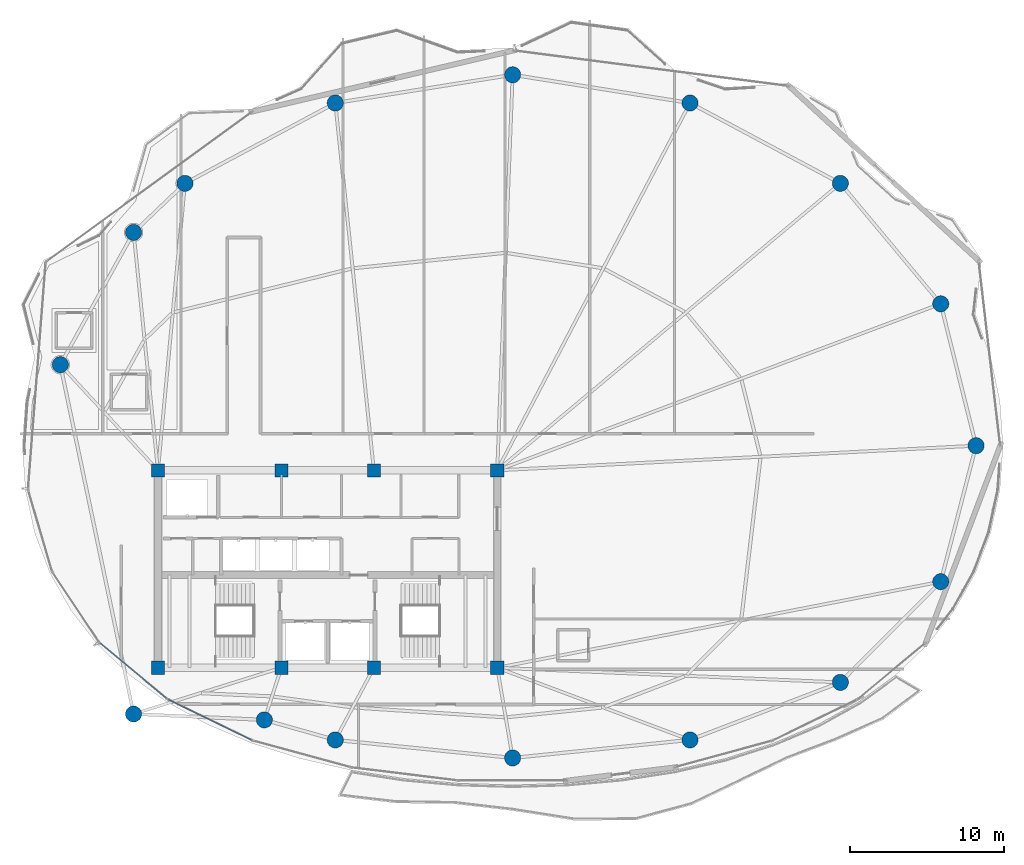
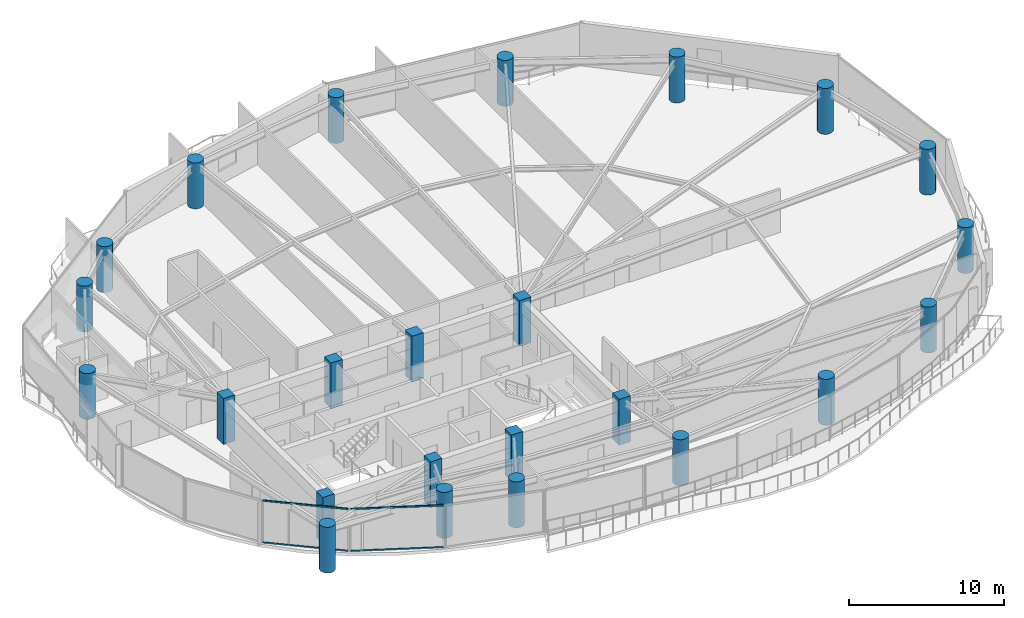
# One storey, part 1 of 31: 24 columns, 4 members, 2 elements without a shape of their own.
"""IFC4 building model written with IfcOpenShell, lengths in metres."""

from ifc_helpers import new_model, si_unit, direction, frame, origin, origin_2d, place, context, subcontext, project, spatial, rectangle, hollow_rectangle, circle, extrude, material, layer, layer_set, material_profile, profile_set, type_object, element, aggregate, save


model = new_model("IFC4")

# Units and contexts
model_context = context("Model", 3, precision=1e-05, world=origin(), true_north=direction((0.0, 1.0)))
body_context = subcontext(model_context, "Body", "Model", "MODEL_VIEW")
ifc_project = project(units=[si_unit("LENGTHUNIT", "METRE"), si_unit("AREAUNIT", "SQUARE_METRE"), si_unit("VOLUMEUNIT", "CUBIC_METRE"), si_unit("PLANEANGLEUNIT", "RADIAN"), si_unit("MASSUNIT", "GRAM", prefix="KILO")], contexts=[model_context])

# Site, building, storey
site_placement = place(None, origin())
site = spatial("IfcSite", under=ifc_project, at=site_placement, CompositionType="ELEMENT")
building_placement = place(site_placement, origin())
building = spatial("IfcBuilding", under=site, at=building_placement, Name="Kazevale Care Tower and Concert Hall", CompositionType="ELEMENT")
storey_placement = place(building_placement, frame((0.0, 0.0, 217.199951171875)))
storey = spatial("IfcBuildingStorey", under=building, at=storey_placement, Name="L57", CompositionType="ELEMENT", Elevation=217.199951171875)

# Columns
ifc_material_1 = material(Name="Concrete C50", Category="concrete")
ifc_material_profile_1 = material_profile(ifc_material_1, rectangle(XDim=0.85009765625, YDim=0.85009765625, at=origin_2d()), Name="RC-SQ850")
ifc_profile_set_1 = profile_set([ifc_material_profile_1], Name="Concrete C50")
column_type_1 = type_object("IfcColumnType", Name="Core Column SQ850 C50", PredefinedType="COLUMN", material=ifc_profile_set_1)
for number, where, z_axis, x_axis, name in (
    (1, (22.0, 23.60009765625, 0.0), (0.0, 0.0, 1.0), (1.0, 0.0, 0.0), "col:L57:CC-01"),
    (2, (30.0, 23.60009765625, 0.0), (0.0, 0.0, 1.0), (1.0, 0.0, 0.0), "col:L57:CC-02"),
    (3, (36.0, 23.60009765625, 0.0), (0.0, 0.0, 1.0), (1.0, 0.0, 0.0), "col:L57:CC-03"),
    (4, (44.0, 23.60009765625, 0.0), (0.0, 0.0, 1.0), (1.0, 0.0, 0.0), "col:L57:CC-04"),
    (5, (44.0, 36.39990234375, 0.0), (0.0, 0.0, 1.0), (1.0, 0.0, 0.0), "col:L57:CC-05"),
    (6, (36.0, 36.39990234375, 0.0), (0.0, 0.0, 1.0), (1.0, 0.0, 0.0), "col:L57:CC-06"),
    (7, (30.0, 36.39990234375, 0.0), (0.0, 0.0, 1.0), (1.0, 0.0, 0.0), "col:L57:CC-07"),
    (8, (22.0, 36.39990234375, 0.0), (0.0, 0.0, 1.0), (1.0, 0.0, 0.0), "col:L57:CC-08"),
):
    element("IfcColumn", number, at=place(storey_placement, frame(where, z_axis=z_axis, x_axis=x_axis)), inside=storey, type_object=column_type_1, Name=name, PredefinedType="COLUMN", context=body_context, shape_type="SweptSolid", body=[
        extrude(rectangle(XDim=0.85009765625, YDim=0.85009765625, at=origin_2d()), origin(), (0.0, 0.0, 1.0), 3.60009765625),
    ])
ifc_material_profile_2 = material_profile(ifc_material_1, circle(Radius=0.52490234375, at=origin_2d()), Name="RC-CIR1050")
ifc_profile_set_2 = profile_set([ifc_material_profile_2], Name="Concrete C50")
column_type_2 = type_object("IfcColumnType", Name="Perimeter Column CIR1050 C50", PredefinedType="COLUMN", material=ifc_profile_set_2)
for number, where, z_axis, x_axis, name in (
    (9, (75.050048828125, 38.0, 0.0), (0.0, 0.0, 1.0), (1.0, 0.0, 0.0), "col:L57:PC-01"),
    (10, (72.760009765625, 47.199951171875, 0.0), (0.0, 0.0, 1.0), (1.0, 0.0, 0.0), "col:L57:PC-02"),
    (11, (66.25, 55.010009765625, 0.0), (0.0, 0.0, 1.0), (1.0, 0.0, 0.0), "col:L57:PC-03"),
    (12, (56.5, 60.219970703125, 0.0), (0.0, 0.0, 1.0), (1.0, 0.0, 0.0), "col:L57:PC-04"),
    (13, (45.0, 62.050048828125, 0.0), (0.0, 0.0, 1.0), (1.0, 0.0, 0.0), "col:L57:PC-05"),
    (14, (33.5, 60.219970703125, 0.0), (0.0, 0.0, 1.0), (1.0, 0.0, 0.0), "col:L57:PC-06"),
    (15, (23.75, 55.010009765625, 0.0), (0.0, 0.0, 1.0), (1.0, 0.0, 0.0), "col:L57:PC-07"),
    (16, (20.419921875, 51.830078125, 0.0), (0.0, 0.0, 1.0), (1.0, 0.0, 0.0), "col:L57:PC-08"),
    (17, (15.669921875, 43.25, 0.0), (0.0, 0.0, 1.0), (1.0, 0.0, 0.0), "col:L57:PC-09"),
    (18, (20.419921875, 20.60009765625, 0.0), (0.0, 0.0, 1.0), (1.0, 0.0, 0.0), "col:L57:PC-10"),
    (19, (28.89990234375, 20.219970703125, 0.0), (0.0, 0.0, 1.0), (1.0, 0.0, 0.0), "col:L57:PC-11"),
    (20, (33.5, 18.919921875, 0.0), (0.0, 0.0, 1.0), (1.0, 0.0, 0.0), "col:L57:PC-12"),
    (21, (45.0, 17.75, 0.0), (0.0, 0.0, 1.0), (1.0, 0.0, 0.0), "col:L57:PC-13"),
    (22, (56.5, 18.919921875, 0.0), (0.0, 0.0, 1.0), (1.0, 0.0, 0.0), "col:L57:PC-14"),
    (23, (66.25, 22.64990234375, 0.0), (0.0, 0.0, 1.0), (1.0, 0.0, 0.0), "col:L57:PC-15"),
    (24, (72.760009765625, 29.179931640625, 0.0), (0.0, 0.0, 1.0), (1.0, 0.0, 0.0), "col:L57:PC-16"),
):
    element("IfcColumn", number, at=place(storey_placement, frame(where, z_axis=z_axis, x_axis=x_axis)), inside=storey, type_object=column_type_2, Name=name, PredefinedType="COLUMN", context=body_context, shape_type="SweptSolid", body=[
        extrude(circle(Radius=0.52490234375, at=origin_2d()), origin(), (0.0, 0.0, 1.0), 3.60009765625),
    ])

# Curtain wall, members
ifc_material_2 = material(Name="Aluminium 6063-T6 and Low-E Glass", Category="aluminium")
ifc_layer = layer(ifc_material_2, 0.179931640625)
ifc_layer_set = layer_set([ifc_layer], Name="Aluminium 6063-T6 and Low-E Glass")
curtain_wall_type = type_object("IfcCurtainWallType", Name="Sheltered Concave Balcony Curtain Wall CW-5", PredefinedType="NOTDEFINED", material=ifc_layer_set)
curtain_wall_1_placement = place(storey_placement, origin())
curtain_wall_1 = element("IfcCurtainWall", 25, at=curtain_wall_1_placement, inside=storey, type_object=curtain_wall_type, Name="cw:L57:f09", PredefinedType="NOTDEFINED")
ifc_material_3 = material(Name="Aluminium 6063-T6", Category="aluminium")
ifc_material_profile_3 = material_profile(ifc_material_3, hollow_rectangle(XDim=0.074951171875, YDim=0.1201171875, WallThickness=0.00390625, at=origin_2d()), Name="ALU75x120x4")
ifc_profile_set_3 = profile_set([ifc_material_profile_3], Name="Aluminium 6063-T6")
member_type = type_object("IfcMemberType", Name="CW-5 Transom ALU75x120x4", PredefinedType="USERDEFINED", material=ifc_profile_set_3)
member_1_placement = place(storey_placement, frame((28.07666015625, 18.90576171875, 0.03759765625), z_axis=(-0.899342308406, 0.437245254189, 0.0), x_axis=(-0.437245254189, -0.899342308406, 0.0)))
member_1 = element("IfcMember", 26, at=member_1_placement, type_object=member_type, Name="CW-5 transom 1.1", ObjectType="TRANSOM", PredefinedType="USERDEFINED", context=body_context, shape_type="SweptSolid", body=[
    extrude(hollow_rectangle(XDim=0.074951171875, YDim=0.1201171875, WallThickness=0.00390625, at=origin_2d()), origin(), (0.0, 0.0, 1.0), 6.00244140625),
])
member_2_placement = place(storey_placement, frame((28.07666015625, 18.90576171875, 3.322509765625), z_axis=(-0.899342308406, 0.437245254189, 0.0), x_axis=(-0.437245254189, -0.899342308406, 0.0)))
member_2 = element("IfcMember", 27, at=member_2_placement, type_object=member_type, Name="CW-5 transom 1.2", ObjectType="TRANSOM", PredefinedType="USERDEFINED", context=body_context, shape_type="SweptSolid", body=[
    extrude(hollow_rectangle(XDim=0.074951171875, YDim=0.1201171875, WallThickness=0.00390625, at=origin_2d()), origin(), (0.0, 0.0, 1.0), 6.00244140625),
])
aggregate(curtain_wall_1, [member_1, member_2])

curtain_wall_2_placement = place(storey_placement, origin())
curtain_wall_2 = element("IfcCurtainWall", 28, at=curtain_wall_2_placement, inside=storey, type_object=curtain_wall_type, Name="cw:L57:f10", PredefinedType="NOTDEFINED")
member_3_placement = place(storey_placement, frame((22.553466796875, 21.611083984375, 0.03759765625), z_axis=(-0.768432829708, 0.639930454211, 0.0), x_axis=(-0.639930454211, -0.768432829708, 0.0)))
member_3 = element("IfcMember", 29, at=member_3_placement, type_object=member_type, Name="CW-5 transom 1.1", ObjectType="TRANSOM", PredefinedType="USERDEFINED", context=body_context, shape_type="SweptSolid", body=[
    extrude(hollow_rectangle(XDim=0.074951171875, YDim=0.1201171875, WallThickness=0.00390625, at=origin_2d()), origin(), (0.0, 0.0, 1.0), 5.580078125),
])
member_4_placement = place(storey_placement, frame((22.553466796875, 21.611083984375, 3.322509765625), z_axis=(-0.768432829708, 0.639930454211, 0.0), x_axis=(-0.639930454211, -0.768432829708, 0.0)))
member_4 = element("IfcMember", 30, at=member_4_placement, type_object=member_type, Name="CW-5 transom 1.2", ObjectType="TRANSOM", PredefinedType="USERDEFINED", context=body_context, shape_type="SweptSolid", body=[
    extrude(hollow_rectangle(XDim=0.074951171875, YDim=0.1201171875, WallThickness=0.00390625, at=origin_2d()), origin(), (0.0, 0.0, 1.0), 5.580078125),
])
aggregate(curtain_wall_2, [member_3, member_4])

save(model, "model.ifc")
